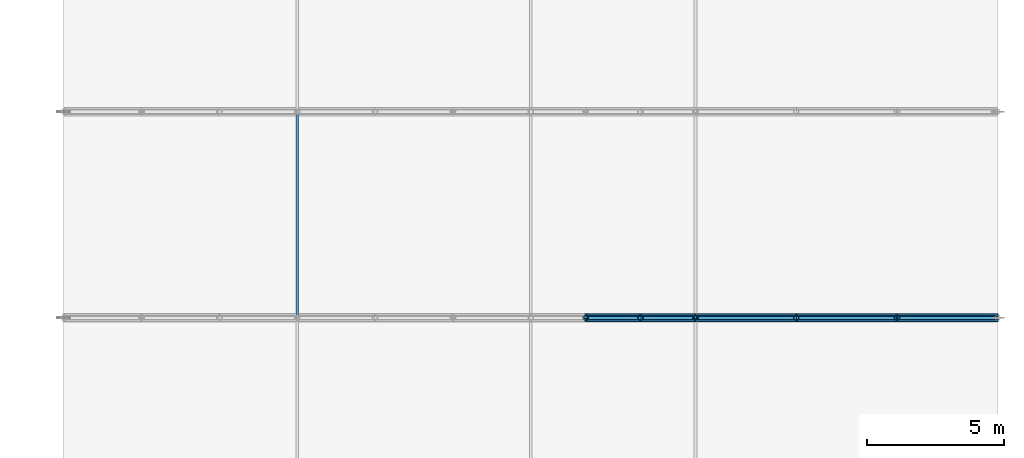
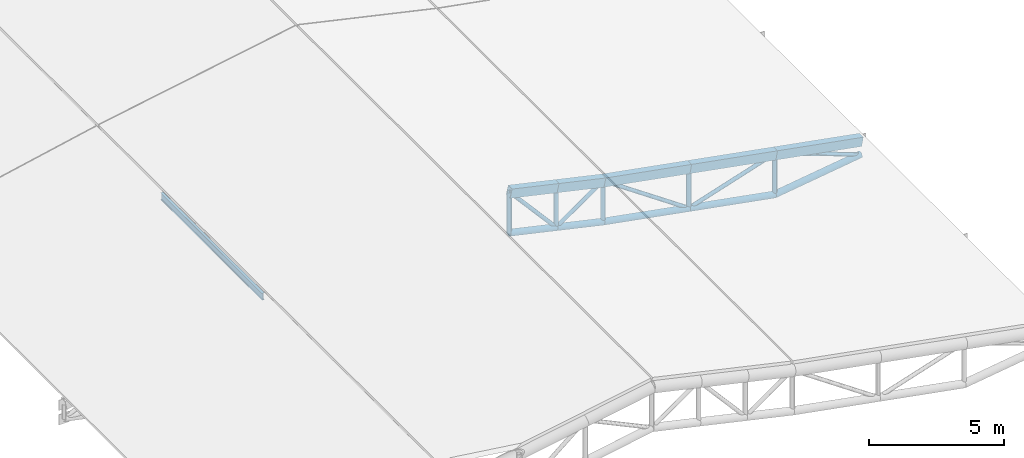
# One storey, part 6 of 28: 16 members, 5 beams.
"""IFC4 building model written with IfcOpenShell, lengths in metres."""

from ifc_helpers import new_model, si_unit, direction, frame, origin, origin_2d, place, context, subcontext, project, spatial, hollow_rectangle, hollow_circle, i_section, extrude, material, material_profile, profile_set, type_object, element, save


model = new_model("IFC4")

# Units and contexts
model_context = context("Model", 3, precision=1e-05, world=origin(), true_north=direction((0.0, 1.0)))
body_context = subcontext(model_context, "Body", "Model", "MODEL_VIEW")
ifc_project = project(units=[si_unit("LENGTHUNIT", "METRE"), si_unit("AREAUNIT", "SQUARE_METRE"), si_unit("VOLUMEUNIT", "CUBIC_METRE"), si_unit("PLANEANGLEUNIT", "RADIAN"), si_unit("MASSUNIT", "GRAM", prefix="KILO"), si_unit("THERMODYNAMICTEMPERATUREUNIT", "KELVIN"), si_unit("POWERUNIT", "WATT")], contexts=[model_context])

# Site, building, storey
site_placement = place(None, origin())
site = spatial("IfcSite", under=ifc_project, at=site_placement, CompositionType="ELEMENT")
building_placement = place(site_placement, origin())
building = spatial("IfcBuilding", under=site, at=building_placement, Name="Tepalcoro Natatorium and Aquatics Centre", CompositionType="ELEMENT")
storey_placement = place(building_placement, frame((0.0, 0.0, 23.199951171875)))
storey = spatial("IfcBuildingStorey", under=building, at=storey_placement, Name="RF", CompositionType="ELEMENT", Elevation=23.199951171875)

# Beams
ifc_material_1 = material(Name="Terracotta Painted Hollow Steel ASTM A500 Grade C (Fy 345 MPa)", Category="masonry")
ifc_material_profile_1 = material_profile(ifc_material_1, hollow_rectangle(XDim=0.300048828125, YDim=0.39990234375, WallThickness=0.01611328125, at=origin_2d()), Name="HSS400X300X16")
ifc_profile_set_1 = profile_set([ifc_material_profile_1], Name="Terracotta Painted Hollow Steel ASTM A500 Grade C (Fy 345 MPa)")
beam_type = type_object("IfcBeamType", Name="AC_HSS400x300x16", PredefinedType="USERDEFINED", material=ifc_profile_set_1)
for number, where, z_axis, x_axis, name in (
    (1, (161.0, 20.5, -0.7529296875), (0.97561485681, 0.0, -0.21948952406), (0.0, 1.0, 0.0), "V2 Barrel-Arch Top Chord 3"),
    (2, (163.0, 20.5, -1.202880859375), (0.97561485681, 0.0, -0.21948952406), (0.0, 1.0, 0.0), "V2 Barrel-Arch Top Chord 3"),
):
    element("IfcBeam", number, at=place(storey_placement, frame(where, z_axis=z_axis, x_axis=x_axis)), inside=storey, type_object=beam_type, Name=name, ObjectType="ARCH CHORD", PredefinedType="USERDEFINED", context=body_context, shape_type="SweptSolid", body=[
        extrude(hollow_rectangle(XDim=0.300048828125, YDim=0.39990234375, WallThickness=0.01611328125, at=origin_2d()), origin(), (0.0, 0.0, 1.0), 2.050048828125),
    ])
beam_1_placement = place(storey_placement, frame((165.0, 20.5, -1.65283203125), z_axis=(0.983704964567, 0.0, -0.179790274169), x_axis=(0.0, 1.0, 0.0)))
element("IfcBeam", 3, at=beam_1_placement, inside=storey, type_object=beam_type, Name="V2 Barrel-Arch Top Chord 3", ObjectType="ARCH CHORD", PredefinedType="USERDEFINED", context=body_context, shape_type="SweptSolid", body=[
    extrude(hollow_rectangle(XDim=0.300048828125, YDim=0.39990234375, WallThickness=0.01611328125, at=origin_2d()), origin(), (0.0, 0.0, 1.0), 3.7275390625),
])
beam_2_placement = place(storey_placement, frame((168.666748046875, 20.5, -2.322998046875), z_axis=(0.983714430655, 0.0, -0.179738473679), x_axis=(0.0, 1.0, 0.0)))
element("IfcBeam", 4, at=beam_2_placement, inside=storey, type_object=beam_type, Name="V2 Barrel-Arch Top Chord 3", ObjectType="ARCH CHORD", PredefinedType="USERDEFINED", context=body_context, shape_type="SweptSolid", body=[
    extrude(hollow_rectangle(XDim=0.300048828125, YDim=0.39990234375, WallThickness=0.01611328125, at=origin_2d()), origin(), (0.0, 0.0, 1.0), 3.727294921875),
])
beam_3_placement = place(storey_placement, frame((172.333251953125, 20.5, -2.992919921875), z_axis=(0.983716546565, 0.0, -0.179726892854), x_axis=(0.0, 1.0, 0.0)))
element("IfcBeam", 5, at=beam_3_placement, inside=storey, type_object=beam_type, Name="V2 Barrel-Arch Top Chord 3", ObjectType="ARCH CHORD", PredefinedType="USERDEFINED", context=body_context, shape_type="SweptSolid", body=[
    extrude(hollow_rectangle(XDim=0.300048828125, YDim=0.39990234375, WallThickness=0.01611328125, at=origin_2d()), origin(), (0.0, 0.0, 1.0), 3.7275390625),
])

# Members
ifc_material_profile_2 = material_profile(ifc_material_1, hollow_circle(Radius=0.136474609375, WallThickness=0.01611328125, at=origin_2d()), Name="CHS273X16")
ifc_profile_set_2 = profile_set([ifc_material_profile_2], Name="Terracotta Painted Hollow Steel ASTM A500 Grade C (Fy 345 MPa)")
member_type_1 = type_object("IfcMemberType", Name="MB_CH_CHS273x16", PredefinedType="CHORD", material=ifc_profile_set_2)
for number, where, z_axis, x_axis, name in (
    (6, (161.0, 20.5, -2.60302734375), (0.97561485681, 0.0, -0.21948952406), (0.0, 1.0, 0.0), "V2 Barrel-Arch Bottom Chord 3"),
    (7, (163.0, 20.5, -3.052978515625), (0.97561485681, 0.0, -0.21948952406), (0.0, 1.0, 0.0), "V2 Barrel-Arch Bottom Chord 3"),
):
    element("IfcMember", number, at=place(storey_placement, frame(where, z_axis=z_axis, x_axis=x_axis)), inside=storey, type_object=member_type_1, Name=name, PredefinedType="CHORD", context=body_context, shape_type="SweptSolid", body=[
        extrude(hollow_circle(Radius=0.136474609375, WallThickness=0.01611328125, at=origin_2d()), origin(), (0.0, 0.0, 1.0), 2.050048828125),
    ])
member_1_placement = place(storey_placement, frame((165.0, 20.5, -3.5029296875), z_axis=(0.983716546565, 0.0, -0.179726892854), x_axis=(0.0, 1.0, 0.0)))
element("IfcMember", 8, at=member_1_placement, inside=storey, type_object=member_type_1, Name="V2 Barrel-Arch Bottom Chord 3", PredefinedType="CHORD", context=body_context, shape_type="SweptSolid", body=[
    extrude(hollow_circle(Radius=0.136474609375, WallThickness=0.01611328125, at=origin_2d()), origin(), (0.0, 0.0, 1.0), 3.7275390625),
])
member_2_placement = place(storey_placement, frame((168.666748046875, 20.5, -4.1728515625), z_axis=(0.98370284719, 0.0, -0.179801858805), x_axis=(0.0, 1.0, 0.0)))
element("IfcMember", 9, at=member_2_placement, inside=storey, type_object=member_type_1, Name="V2 Barrel-Arch Bottom Chord 3", PredefinedType="CHORD", context=body_context, shape_type="SweptSolid", body=[
    extrude(hollow_circle(Radius=0.136474609375, WallThickness=0.01611328125, at=origin_2d()), origin(), (0.0, 0.0, 1.0), 3.727294921875),
])
member_3_placement = place(storey_placement, frame((172.333251953125, 20.5, -4.843017578125), z_axis=(0.98971353676, 0.0, 0.143063325675), x_axis=(0.0, 1.0, 0.0)))
element("IfcMember", 10, at=member_3_placement, inside=storey, type_object=member_type_1, Name="V2 Barrel-Arch Bottom Chord 3", PredefinedType="CHORD", context=body_context, shape_type="SweptSolid", body=[
    extrude(hollow_circle(Radius=0.136474609375, WallThickness=0.01611328125, at=origin_2d()), origin(), (0.0, 0.0, 1.0), 3.704833984375),
])
ifc_material_2 = material(Name="Steel ASTM A992 Grade 50 (Fy 345 MPa)", Category="steel")
ifc_material_profile_3 = material_profile(ifc_material_2, i_section(OverallWidth=0.10205078125, OverallDepth=0.31201171875, WebThickness=0.007080078125, FlangeThickness=0.010986328125, FilletRadius=0.013916015625, at=origin_2d()), Name="W12X22")
ifc_profile_set_3 = profile_set([ifc_material_profile_3], Name="Steel ASTM A992 Grade 50 (Fy 345 MPa)")
member_type_2 = type_object("IfcMemberType", Name="MB_PR_W12x22", PredefinedType="PURLIN", material=ifc_profile_set_3)
member_4_placement = place(storey_placement, frame((150.5, 20.5, -1.808837890625), z_axis=(0.0, 1.0, 0.0), x_axis=(-1.0, 0.0, 0.0)))
element("IfcMember", 11, at=member_4_placement, inside=storey, type_object=member_type_2, Name="V2 Barrel-Arch Roof Purlin", PredefinedType="PURLIN", context=body_context, shape_type="SweptSolid", body=[
    extrude(i_section(OverallWidth=0.10205078125, OverallDepth=0.31201171875, WebThickness=0.007080078125, FlangeThickness=0.010986328125, FilletRadius=0.013916015625, at=origin_2d()), origin(), (0.0, 0.0, 1.0), 7.5),
])
ifc_material_profile_4 = material_profile(ifc_material_1, hollow_circle(Radius=0.096923828125, WallThickness=0.010009765625, at=origin_2d()), Name="CHS194X10")
ifc_profile_set_4 = profile_set([ifc_material_profile_4], Name="Terracotta Painted Hollow Steel ASTM A500 Grade C (Fy 345 MPa)")
member_type_3 = type_object("IfcMemberType", Name="MB_PS_CHS194x10", PredefinedType="POST", material=ifc_profile_set_4)
for number, where, z_axis, x_axis, name in (
    (12, (161.0, 20.5, -2.60302734375), (0.0, 0.0, 1.0), (1.0, 0.0, 0.0), "V2 Barrel-Arch Post 3"),
    (13, (163.0, 20.5, -3.052978515625), (0.0, 0.0, 1.0), (1.0, 0.0, 0.0), "V2 Barrel-Arch Post 3"),
    (14, (165.0, 20.5, -3.5029296875), (0.0, 0.0, 1.0), (1.0, 0.0, 0.0), "V2 Barrel-Arch Post 3"),
):
    element("IfcMember", number, at=place(storey_placement, frame(where, z_axis=z_axis, x_axis=x_axis)), inside=storey, type_object=member_type_3, Name=name, PredefinedType="POST", context=body_context, shape_type="SweptSolid", body=[
        extrude(hollow_circle(Radius=0.096923828125, WallThickness=0.010009765625, at=origin_2d()), origin(), (0.0, 0.0, 1.0), 1.85009765625),
    ])
member_5_placement = place(storey_placement, frame((168.666748046875, 20.5, -4.1728515625), z_axis=(0.0, 0.0, 1.0), x_axis=(1.0, 0.0, 0.0)))
element("IfcMember", 15, at=member_5_placement, inside=storey, type_object=member_type_3, Name="V2 Barrel-Arch Post 3", PredefinedType="POST", context=body_context, shape_type="SweptSolid", body=[
    extrude(hollow_circle(Radius=0.096923828125, WallThickness=0.010009765625, at=origin_2d()), origin(), (0.0, 0.0, 1.0), 1.849853515625),
])
member_6_placement = place(storey_placement, frame((172.333251953125, 20.5, -4.843017578125), z_axis=(0.0, 0.0, 1.0), x_axis=(1.0, 0.0, 0.0)))
element("IfcMember", 16, at=member_6_placement, inside=storey, type_object=member_type_3, Name="V2 Barrel-Arch Post 3", PredefinedType="POST", context=body_context, shape_type="SweptSolid", body=[
    extrude(hollow_circle(Radius=0.096923828125, WallThickness=0.010009765625, at=origin_2d()), origin(), (0.0, 0.0, 1.0), 1.85009765625),
])
ifc_material_profile_5 = material_profile(ifc_material_1, hollow_circle(Radius=0.083984375, WallThickness=0.011962890625, at=origin_2d()), Name="CHS168X12")
ifc_profile_set_5 = profile_set([ifc_material_profile_5], Name="Terracotta Painted Hollow Steel ASTM A500 Grade C (Fy 345 MPa)")
member_type_4 = type_object("IfcMemberType", Name="MB_ST_CHS168x12", PredefinedType="STRUT", material=ifc_profile_set_5)
member_7_placement = place(storey_placement, frame((161.0, 20.5, -0.7529296875), z_axis=(0.65617078259, 0.0, -0.754612419773), x_axis=(0.0, 1.0, 0.0)))
element("IfcMember", 17, at=member_7_placement, inside=storey, type_object=member_type_4, Name="V2 Barrel-Arch Web Diagonal 3", PredefinedType="STRUT", context=body_context, shape_type="SweptSolid", body=[
    extrude(hollow_circle(Radius=0.083984375, WallThickness=0.011962890625, at=origin_2d()), origin(), (0.0, 0.0, 1.0), 3.048095703125),
])
member_8_placement = place(storey_placement, frame((163.0, 20.5, -3.052978515625), z_axis=(0.819203731481, 0.0, 0.57350261231), x_axis=(0.0, 1.0, 0.0)))
element("IfcMember", 18, at=member_8_placement, inside=storey, type_object=member_type_4, Name="V2 Barrel-Arch Web Diagonal 3", PredefinedType="STRUT", context=body_context, shape_type="SweptSolid", body=[
    extrude(hollow_circle(Radius=0.083984375, WallThickness=0.011962890625, at=origin_2d()), origin(), (0.0, 0.0, 1.0), 2.44140625),
])
member_9_placement = place(storey_placement, frame((165.0, 20.5, -1.65283203125), z_axis=(0.82413317395, 0.0, -0.566396073075), x_axis=(0.0, 1.0, 0.0)))
element("IfcMember", 19, at=member_9_placement, inside=storey, type_object=member_type_4, Name="V2 Barrel-Arch Web Diagonal 3", PredefinedType="STRUT", context=body_context, shape_type="SweptSolid", body=[
    extrude(hollow_circle(Radius=0.083984375, WallThickness=0.011962890625, at=origin_2d()), origin(), (0.0, 0.0, 1.0), 4.44921875),
])
member_10_placement = place(storey_placement, frame((168.666748046875, 20.5, -4.1728515625), z_axis=(0.951921664085, 0.0, 0.306341550308), x_axis=(0.0, 1.0, 0.0)))
element("IfcMember", 20, at=member_10_placement, inside=storey, type_object=member_type_4, Name="V2 Barrel-Arch Web Diagonal 3", PredefinedType="STRUT", context=body_context, shape_type="SweptSolid", body=[
    extrude(hollow_circle(Radius=0.083984375, WallThickness=0.011962890625, at=origin_2d()), origin(), (0.0, 0.0, 1.0), 3.851806640625),
])
member_11_placement = place(storey_placement, frame((172.333251953125, 20.5, -2.992919921875), z_axis=(0.9408842174, 0.0, -0.338728341666), x_axis=(0.0, 1.0, 0.0)))
element("IfcMember", 21, at=member_11_placement, inside=storey, type_object=member_type_4, Name="V2 Barrel-Arch Web Diagonal 3", PredefinedType="STRUT", context=body_context, shape_type="SweptSolid", body=[
    extrude(hollow_circle(Radius=0.083984375, WallThickness=0.011962890625, at=origin_2d()), origin(), (0.0, 0.0, 1.0), 3.897216796875),
])

save(model, "model.ifc")
